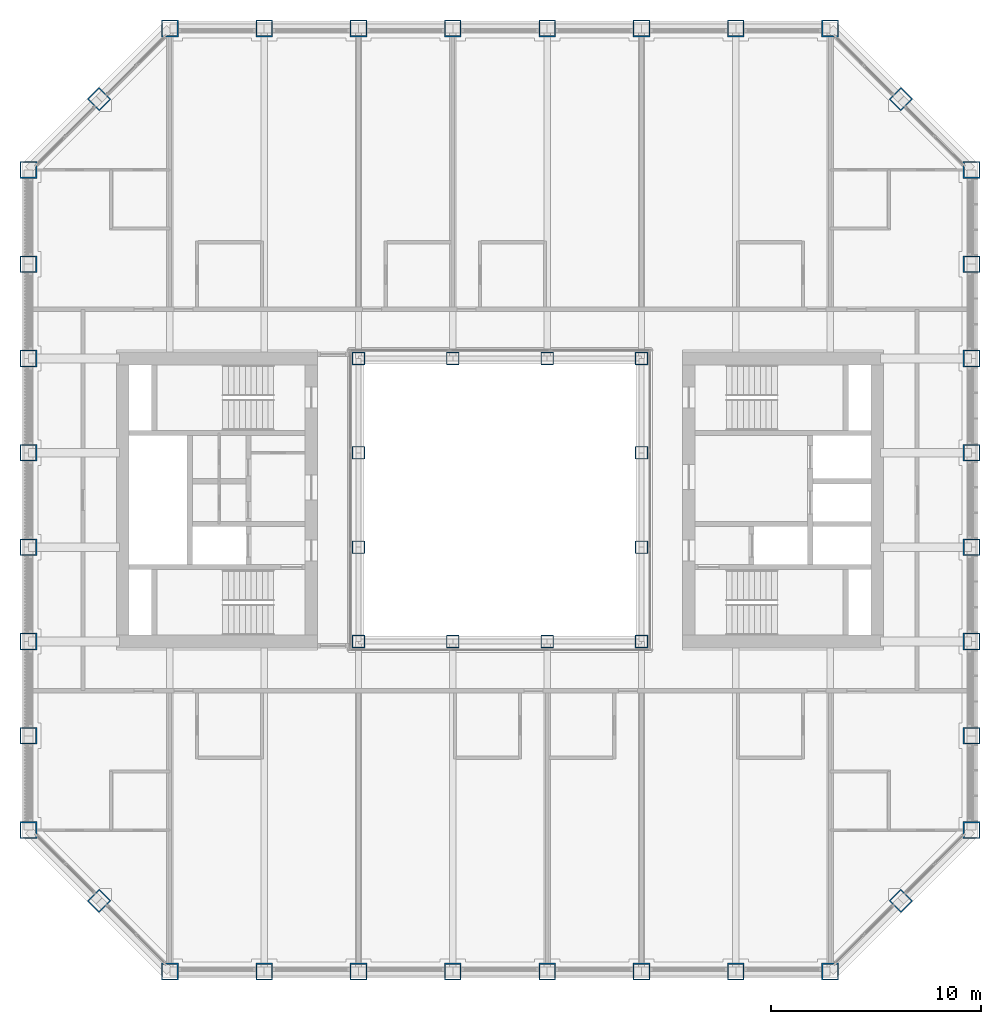
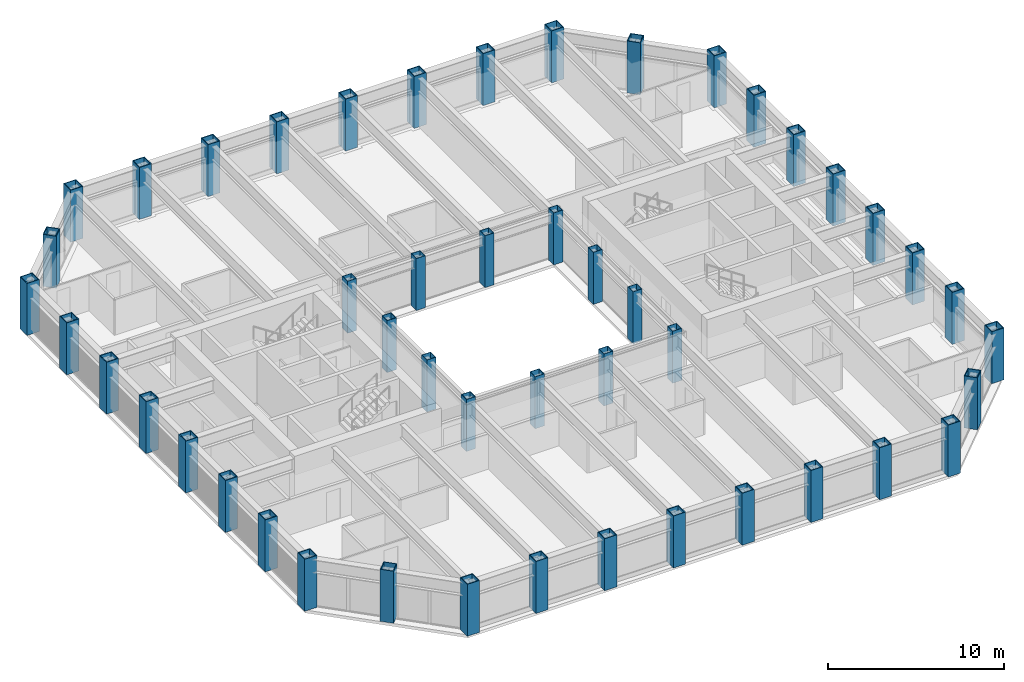
# One storey, part 1 of 17: 48 columns.
"""IFC4 building model written with IfcOpenShell, lengths in metres."""

from ifc_helpers import new_model, si_unit, direction, frame, origin, origin_2d, place, context, subcontext, project, spatial, hollow_rectangle, extrude, material, material_profile, profile_set, type_object, element, save


model = new_model("IFC4")

# Units and contexts
model_context = context("Model", 3, precision=1e-05, world=origin(), true_north=direction((0.0, 1.0)))
body_context = subcontext(model_context, "Body", "Model", "MODEL_VIEW")
ifc_project = project(units=[si_unit("LENGTHUNIT", "METRE"), si_unit("AREAUNIT", "SQUARE_METRE"), si_unit("VOLUMEUNIT", "CUBIC_METRE"), si_unit("PLANEANGLEUNIT", "RADIAN"), si_unit("MASSUNIT", "GRAM", prefix="KILO")], contexts=[model_context])

# Site, building, storey
site_placement = place(None, origin())
site = spatial("IfcSite", under=ifc_project, at=site_placement, CompositionType="ELEMENT")
building_placement = place(site_placement, origin())
building = spatial("IfcBuilding", under=site, at=building_placement, Name="Msasa Ring Tower", CompositionType="ELEMENT")
storey_placement = place(building_placement, frame((0.0, 0.0, 161.60009765625)))
storey = spatial("IfcBuildingStorey", under=building, at=storey_placement, Name="L42", CompositionType="ELEMENT", Elevation=161.60009765625)

# Columns
ifc_material_1 = material(Name="Steel S355", Category="steel")
ifc_material_profile_1 = material_profile(ifc_material_1, hollow_rectangle(XDim=0.60009765625, YDim=0.60009765625, WallThickness=0.030029296875, at=origin_2d()), Name="BOX 600x600x30")
ifc_profile_set_1 = profile_set([ifc_material_profile_1], Name="Steel S355")
column_type_1 = type_object("IfcColumnType", Name="IC5 BOX 600x600x30", PredefinedType="COLUMN", material=ifc_profile_set_1)
for number, where, z_axis, x_axis, name in (
    (1, (-6.75, -6.75, 0.0), (0.0, 0.0, 1.0), (1.0, 0.0, 0.0), "Inner ring column IR-6.75-6.75 L42"),
    (2, (-6.75, -2.25, 0.0), (0.0, 0.0, 1.0), (1.0, 0.0, 0.0), "Inner ring column IR-6.75-2.25 L42"),
    (3, (-6.75, 2.25, 0.0), (0.0, 0.0, 1.0), (1.0, 0.0, 0.0), "Inner ring column IR-6.75+2.25 L42"),
    (4, (-6.75, 6.75, 0.0), (0.0, 0.0, 1.0), (1.0, 0.0, 0.0), "Inner ring column IR-6.75+6.75 L42"),
    (5, (-2.25, -6.75, 0.0), (0.0, 0.0, 1.0), (1.0, 0.0, 0.0), "Inner ring column IR-2.25-6.75 L42"),
    (6, (-2.25, 6.75, 0.0), (0.0, 0.0, 1.0), (1.0, 0.0, 0.0), "Inner ring column IR-2.25+6.75 L42"),
    (7, (2.25, -6.75, 0.0), (0.0, 0.0, 1.0), (1.0, 0.0, 0.0), "Inner ring column IR+2.25-6.75 L42"),
    (8, (2.25, 6.75, 0.0), (0.0, 0.0, 1.0), (1.0, 0.0, 0.0), "Inner ring column IR+2.25+6.75 L42"),
    (9, (6.75, -6.75, 0.0), (0.0, 0.0, 1.0), (1.0, 0.0, 0.0), "Inner ring column IR+6.75-6.75 L42"),
    (10, (6.75, -2.25, 0.0), (0.0, 0.0, 1.0), (1.0, 0.0, 0.0), "Inner ring column IR+6.75-2.25 L42"),
    (11, (6.75, 2.25, 0.0), (0.0, 0.0, 1.0), (1.0, 0.0, 0.0), "Inner ring column IR+6.75+2.25 L42"),
    (12, (6.75, 6.75, 0.0), (0.0, 0.0, 1.0), (1.0, 0.0, 0.0), "Inner ring column IR+6.75+6.75 L42"),
):
    element("IfcColumn", number, at=place(storey_placement, frame(where, z_axis=z_axis, x_axis=x_axis)), inside=storey, type_object=column_type_1, Name=name, PredefinedType="COLUMN", context=body_context, shape_type="SweptSolid", body=[
        extrude(hollow_rectangle(XDim=0.60009765625, YDim=0.60009765625, WallThickness=0.030029296875, at=origin_2d()), origin(), (0.0, 0.0, 1.0), 3.599853515625),
    ])
ifc_material_2 = material(Name="Steel S355", Category="steel")
ifc_material_profile_2 = material_profile(ifc_material_2, hollow_rectangle(XDim=0.800048828125, YDim=0.800048828125, WallThickness=0.050048828125, at=origin_2d()), Name="BOX 800x800x50")
ifc_profile_set_2 = profile_set([ifc_material_profile_2], Name="Steel S355")
column_type_2 = type_object("IfcColumnType", Name="TC4 BOX 800x800x50", PredefinedType="COLUMN", material=ifc_profile_set_2)
for number, where, z_axis, x_axis, name in (
    (13, (-15.75, -22.5, 0.0), (0.0, 0.0, 1.0), (0.0, 1.0, 0.0), "Tube column S-15.75 L42"),
    (14, (-15.75, 22.5, 0.0), (0.0, 0.0, 1.0), (0.0, 1.0, 0.0), "Tube column N-15.75 L42"),
    (15, (22.5, -15.75, 0.0), (0.0, 0.0, 1.0), (1.0, 0.0, 0.0), "Tube column E-15.75 L42"),
    (16, (-22.5, -15.75, 0.0), (0.0, 0.0, 1.0), (1.0, 0.0, 0.0), "Tube column W-15.75 L42"),
    (17, (-11.25, -22.5, 0.0), (0.0, 0.0, 1.0), (0.0, 1.0, 0.0), "Tube column S-11.25 L42"),
    (18, (-11.25, 22.5, 0.0), (0.0, 0.0, 1.0), (0.0, 1.0, 0.0), "Tube column N-11.25 L42"),
    (19, (22.5, -11.25, 0.0), (0.0, 0.0, 1.0), (1.0, 0.0, 0.0), "Tube column E-11.25 L42"),
    (20, (-22.5, -11.25, 0.0), (0.0, 0.0, 1.0), (1.0, 0.0, 0.0), "Tube column W-11.25 L42"),
    (21, (-6.75, -22.5, 0.0), (0.0, 0.0, 1.0), (0.0, 1.0, 0.0), "Tube column S-6.75 L42"),
    (22, (-6.75, 22.5, 0.0), (0.0, 0.0, 1.0), (0.0, 1.0, 0.0), "Tube column N-6.75 L42"),
    (23, (22.5, -6.75, 0.0), (0.0, 0.0, 1.0), (1.0, 0.0, 0.0), "Tube column E-6.75 L42"),
    (24, (-22.5, -6.75, 0.0), (0.0, 0.0, 1.0), (1.0, 0.0, 0.0), "Tube column W-6.75 L42"),
    (25, (-2.25, -22.5, 0.0), (0.0, 0.0, 1.0), (0.0, 1.0, 0.0), "Tube column S-2.25 L42"),
    (26, (-2.25, 22.5, 0.0), (0.0, 0.0, 1.0), (0.0, 1.0, 0.0), "Tube column N-2.25 L42"),
    (27, (22.5, -2.25, 0.0), (0.0, 0.0, 1.0), (1.0, 0.0, 0.0), "Tube column E-2.25 L42"),
    (28, (-22.5, -2.25, 0.0), (0.0, 0.0, 1.0), (1.0, 0.0, 0.0), "Tube column W-2.25 L42"),
    (29, (2.25, -22.5, 0.0), (0.0, 0.0, 1.0), (0.0, 1.0, 0.0), "Tube column S+2.25 L42"),
    (30, (2.25, 22.5, 0.0), (0.0, 0.0, 1.0), (0.0, 1.0, 0.0), "Tube column N+2.25 L42"),
    (31, (22.5, 2.25, 0.0), (0.0, 0.0, 1.0), (1.0, 0.0, 0.0), "Tube column E+2.25 L42"),
    (32, (-22.5, 2.25, 0.0), (0.0, 0.0, 1.0), (1.0, 0.0, 0.0), "Tube column W+2.25 L42"),
    (33, (6.75, -22.5, 0.0), (0.0, 0.0, 1.0), (0.0, 1.0, 0.0), "Tube column S+6.75 L42"),
    (34, (6.75, 22.5, 0.0), (0.0, 0.0, 1.0), (0.0, 1.0, 0.0), "Tube column N+6.75 L42"),
    (35, (22.5, 6.75, 0.0), (0.0, 0.0, 1.0), (1.0, 0.0, 0.0), "Tube column E+6.75 L42"),
    (36, (-22.5, 6.75, 0.0), (0.0, 0.0, 1.0), (1.0, 0.0, 0.0), "Tube column W+6.75 L42"),
    (37, (11.25, -22.5, 0.0), (0.0, 0.0, 1.0), (0.0, 1.0, 0.0), "Tube column S+11.25 L42"),
    (38, (11.25, 22.5, 0.0), (0.0, 0.0, 1.0), (0.0, 1.0, 0.0), "Tube column N+11.25 L42"),
    (39, (22.5, 11.25, 0.0), (0.0, 0.0, 1.0), (1.0, 0.0, 0.0), "Tube column E+11.25 L42"),
    (40, (-22.5, 11.25, 0.0), (0.0, 0.0, 1.0), (1.0, 0.0, 0.0), "Tube column W+11.25 L42"),
    (41, (15.75, -22.5, 0.0), (0.0, 0.0, 1.0), (0.0, 1.0, 0.0), "Tube column S+15.75 L42"),
    (42, (15.75, 22.5, 0.0), (0.0, 0.0, 1.0), (0.0, 1.0, 0.0), "Tube column N+15.75 L42"),
    (43, (22.5, 15.75, 0.0), (0.0, 0.0, 1.0), (1.0, 0.0, 0.0), "Tube column E+15.75 L42"),
    (44, (-22.5, 15.75, 0.0), (0.0, 0.0, 1.0), (1.0, 0.0, 0.0), "Tube column W+15.75 L42"),
    (45, (19.125, -19.125, 0.0), (0.0, 0.0, 1.0), (0.707106781187, -0.707106781187, 0.0), "Tube column SE L42"),
    (46, (19.125, 19.125, 0.0), (0.0, 0.0, 1.0), (0.707106781187, 0.707106781187, 0.0), "Tube column NE L42"),
    (47, (-19.125, 19.125, 0.0), (0.0, 0.0, 1.0), (0.707106781187, -0.707106781187, 0.0), "Tube column NW L42"),
    (48, (-19.125, -19.125, 0.0), (0.0, 0.0, 1.0), (0.707106781187, 0.707106781187, 0.0), "Tube column SW L42"),
):
    element("IfcColumn", number, at=place(storey_placement, frame(where, z_axis=z_axis, x_axis=x_axis)), inside=storey, type_object=column_type_2, Name=name, PredefinedType="COLUMN", context=body_context, shape_type="SweptSolid", body=[
        extrude(hollow_rectangle(XDim=0.800048828125, YDim=0.800048828125, WallThickness=0.050048828125, at=origin_2d()), origin(), (0.0, 0.0, 1.0), 3.599853515625),
    ])

save(model, "model.ifc")
